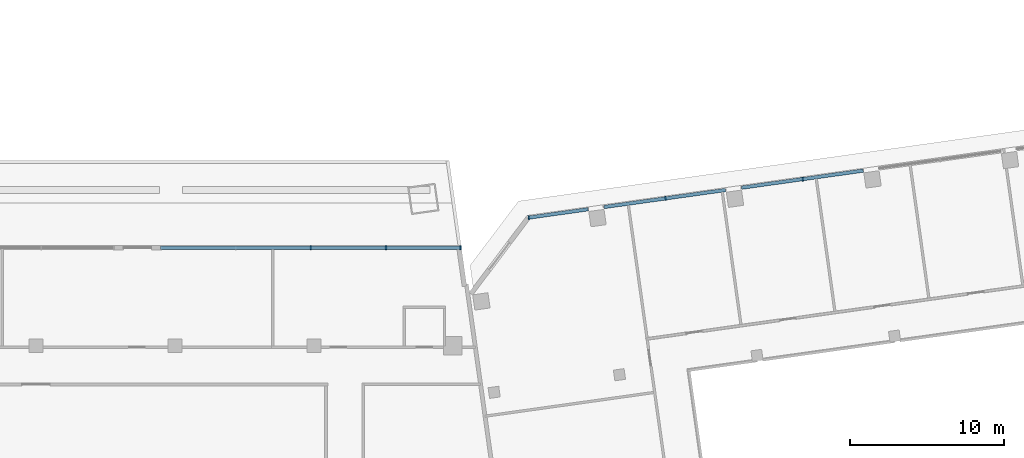
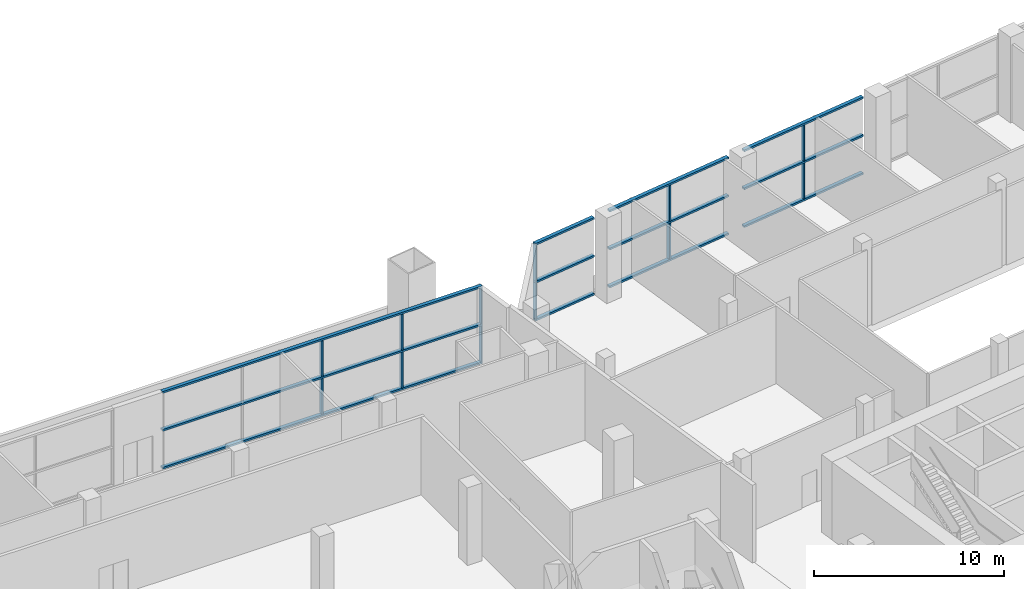
# One storey, part 5 of 23: 24 members, 2 elements without a shape of their own.
"""IFC4 building model written with IfcOpenShell, lengths in metres."""

from ifc_helpers import new_model, si_unit, direction, frame, origin, origin_2d, place, context, subcontext, project, spatial, rectangle, extrude, material, material_profile, profile_set, type_object, element, aggregate, save


model = new_model("IFC4")

# Units and contexts
model_context = context("Model", 3, precision=1e-05, world=origin(), true_north=direction((0.0, 1.0)))
body_context = subcontext(model_context, "Body", "Model", "MODEL_VIEW")
ifc_project = project(units=[si_unit("LENGTHUNIT", "METRE"), si_unit("AREAUNIT", "SQUARE_METRE"), si_unit("VOLUMEUNIT", "CUBIC_METRE"), si_unit("PLANEANGLEUNIT", "RADIAN"), si_unit("MASSUNIT", "GRAM", prefix="KILO")], contexts=[model_context])

# Site, building, storey
site_placement = place(None, origin())
site = spatial("IfcSite", under=ifc_project, at=site_placement, CompositionType="ELEMENT")
building_placement = place(site_placement, origin())
building = spatial("IfcBuilding", under=site, at=building_placement, Name="Mirante Cascada Hotel Towers", CompositionType="ELEMENT")
storey_placement = place(building_placement, frame((0.0, 0.0, 23.5)))
storey = spatial("IfcBuildingStorey", under=building, at=storey_placement, Name="L03", CompositionType="ELEMENT", Elevation=23.5)

# Curtain wall, members
ifc_material_1 = material(Name="Aluminium mullion and transom frame with clear laminated glass", Category="aluminium")
curtain_wall_type = type_object("IfcCurtainWallType", Name="Podium curtain wall ECW3", PredefinedType="NOTDEFINED", material=ifc_material_1)
curtain_wall_1_placement = place(storey_placement, origin())
curtain_wall_1 = element("IfcCurtainWall", 1, at=curtain_wall_1_placement, inside=storey, type_object=curtain_wall_type, Name="Front podium glazing T2 L03", PredefinedType="NOTDEFINED")
ifc_material_2 = material(Name="Anodised aluminium extrusion", Category="aluminium")
ifc_material_profile_1 = material_profile(ifc_material_2, rectangle(XDim=0.26, YDim=0.08, at=origin_2d()), Name="ECW3 MULLION 80x260")
ifc_profile_set_1 = profile_set([ifc_material_profile_1], Name="Anodised aluminium extrusion")
member_type_1 = type_object("IfcMemberType", Name="ECW3 mullion 80x260", PredefinedType="MULLION", material=ifc_profile_set_1)
member_1_placement = place(storey_placement, frame((49.684, 19.8017, 0.12), z_axis=(0.0, 0.0, 1.0), x_axis=(0.1391731, -0.9902681, 0.0)))
member_1 = element("IfcMember", 2, at=member_1_placement, type_object=member_type_1, Name="ECW3 mullion 11", PredefinedType="MULLION", context=body_context, shape_type="SweptSolid", body=[
    extrude(rectangle(XDim=0.26, YDim=0.08, at=origin_2d()), origin(), (0.0, 0.0, 1.0), 2.32),
])
member_2_placement = place(storey_placement, frame((49.684, 19.8017, 2.56), z_axis=(0.0, 0.0, 1.0), x_axis=(0.1391731, -0.9902681, 0.0)))
member_2 = element("IfcMember", 3, at=member_2_placement, type_object=member_type_1, Name="ECW3 mullion 11", PredefinedType="MULLION", context=body_context, shape_type="SweptSolid", body=[
    extrude(rectangle(XDim=0.26, YDim=0.08, at=origin_2d()), origin(), (0.0, 0.0, 1.0), 2.32),
])
member_3_placement = place(storey_placement, frame((40.7892, 18.5516, 0.12), z_axis=(0.0, 0.0, 1.0), x_axis=(0.1391731, -0.9902681, 0.0)))
member_3 = element("IfcMember", 4, at=member_3_placement, type_object=member_type_1, Name="ECW3 mullion 13", PredefinedType="MULLION", context=body_context, shape_type="SweptSolid", body=[
    extrude(rectangle(XDim=0.26, YDim=0.08, at=origin_2d()), origin(), (0.0, 0.0, 1.0), 2.32),
])
member_4_placement = place(storey_placement, frame((40.7892, 18.5516, 2.56), z_axis=(0.0, 0.0, 1.0), x_axis=(0.1391731, -0.9902681, 0.0)))
member_4 = element("IfcMember", 5, at=member_4_placement, type_object=member_type_1, Name="ECW3 mullion 13", PredefinedType="MULLION", context=body_context, shape_type="SweptSolid", body=[
    extrude(rectangle(XDim=0.26, YDim=0.08, at=origin_2d()), origin(), (0.0, 0.0, 1.0), 2.32),
])
member_5_placement = place(storey_placement, frame((31.9339, 17.307, 0.12), z_axis=(0.0, 0.0, 1.0), x_axis=(0.1391731, -0.9902681, 0.0)))
member_5 = element("IfcMember", 6, at=member_5_placement, type_object=member_type_1, Name="ECW3 mullion 15", PredefinedType="MULLION", context=body_context, shape_type="SweptSolid", body=[
    extrude(rectangle(XDim=0.26, YDim=0.08, at=origin_2d()), origin(), (0.0, 0.0, 1.0), 2.32),
])
member_6_placement = place(storey_placement, frame((31.9339, 17.307, 2.56), z_axis=(0.0, 0.0, 1.0), x_axis=(0.1391731, -0.9902681, 0.0)))
member_6 = element("IfcMember", 7, at=member_6_placement, type_object=member_type_1, Name="ECW3 mullion 15", PredefinedType="MULLION", context=body_context, shape_type="SweptSolid", body=[
    extrude(rectangle(XDim=0.26, YDim=0.08, at=origin_2d()), origin(), (0.0, 0.0, 1.0), 2.32),
])

curtain_wall_2_placement = place(storey_placement, origin())
curtain_wall_2 = element("IfcCurtainWall", 8, at=curtain_wall_2_placement, inside=storey, type_object=curtain_wall_type, Name="Podium curtain wall L03 run 3.1", PredefinedType="NOTDEFINED")
member_7_placement = place(storey_placement, frame((27.5005, 15.35, 0.12), z_axis=(0.0, 0.0, 1.0), x_axis=(0.0, -1.0, 0.0)))
member_7 = element("IfcMember", 9, at=member_7_placement, type_object=member_type_1, Name="ECW3 mullion 1", PredefinedType="MULLION", context=body_context, shape_type="SweptSolid", body=[
    extrude(rectangle(XDim=0.26, YDim=0.08, at=origin_2d()), origin(), (0.0, 0.0, 1.0), 2.32),
])
member_8_placement = place(storey_placement, frame((27.5005, 15.35, 2.56), z_axis=(0.0, 0.0, 1.0), x_axis=(0.0, -1.0, 0.0)))
member_8 = element("IfcMember", 10, at=member_8_placement, type_object=member_type_1, Name="ECW3 mullion 1", PredefinedType="MULLION", context=body_context, shape_type="SweptSolid", body=[
    extrude(rectangle(XDim=0.26, YDim=0.08, at=origin_2d()), origin(), (0.0, 0.0, 1.0), 2.32),
])
member_9_placement = place(storey_placement, frame((22.6729, 15.35, 0.12), z_axis=(0.0, 0.0, 1.0), x_axis=(0.0, -1.0, 0.0)))
member_9 = element("IfcMember", 11, at=member_9_placement, type_object=member_type_1, Name="ECW3 mullion 2", PredefinedType="MULLION", context=body_context, shape_type="SweptSolid", body=[
    extrude(rectangle(XDim=0.26, YDim=0.08, at=origin_2d()), origin(), (0.0, 0.0, 1.0), 2.32),
])
member_10_placement = place(storey_placement, frame((22.6729, 15.35, 2.56), z_axis=(0.0, 0.0, 1.0), x_axis=(0.0, -1.0, 0.0)))
member_10 = element("IfcMember", 12, at=member_10_placement, type_object=member_type_1, Name="ECW3 mullion 2", PredefinedType="MULLION", context=body_context, shape_type="SweptSolid", body=[
    extrude(rectangle(XDim=0.26, YDim=0.08, at=origin_2d()), origin(), (0.0, 0.0, 1.0), 2.32),
])
member_11_placement = place(storey_placement, frame((17.8053, 15.35, 0.12), z_axis=(0.0, 0.0, 1.0), x_axis=(0.0, -1.0, 0.0)))
member_11 = element("IfcMember", 13, at=member_11_placement, type_object=member_type_1, Name="ECW3 mullion 3", PredefinedType="MULLION", context=body_context, shape_type="SweptSolid", body=[
    extrude(rectangle(XDim=0.26, YDim=0.08, at=origin_2d()), origin(), (0.0, 0.0, 1.0), 2.32),
])
member_12_placement = place(storey_placement, frame((17.8053, 15.35, 2.56), z_axis=(0.0, 0.0, 1.0), x_axis=(0.0, -1.0, 0.0)))
member_12 = element("IfcMember", 14, at=member_12_placement, type_object=member_type_1, Name="ECW3 mullion 3", PredefinedType="MULLION", context=body_context, shape_type="SweptSolid", body=[
    extrude(rectangle(XDim=0.26, YDim=0.08, at=origin_2d()), origin(), (0.0, 0.0, 1.0), 2.32),
])

# Member
ifc_material_3 = material(Name="Anodised aluminium extrusion", Category="aluminium")
ifc_material_profile_2 = material_profile(ifc_material_3, rectangle(XDim=0.22, YDim=0.12, at=origin_2d()), Name="ECW3 TRANSOM 120x220")
ifc_profile_set_2 = profile_set([ifc_material_profile_2], Name="Anodised aluminium extrusion")
member_type_2 = type_object("IfcMemberType", Name="ECW3 transom 120x220", PredefinedType="USERDEFINED", material=ifc_profile_set_2)
member_13_placement = place(storey_placement, frame((53.5989, 20.3519, 0.06), z_axis=(-0.9902666, -0.1391838, 0.0), x_axis=(0.1391838, -0.9902666, 0.0)))
member_13 = element("IfcMember", 15, at=member_13_placement, type_object=member_type_2, Name="ECW3 sill transom", ObjectType="TRANSOM", PredefinedType="USERDEFINED", context=body_context, shape_type="SweptSolid", body=[
    extrude(rectangle(XDim=0.22, YDim=0.12, at=origin_2d()), origin(), (0.0, 0.0, 1.0), 7.96),
])

member_14_placement = place(storey_placement, frame((44.6865, 19.0993, 0.06), z_axis=(-0.9902685, -0.1391698, 0.0), x_axis=(0.1391698, -0.9902685, 0.0)))
member_14 = element("IfcMember", 16, at=member_14_placement, type_object=member_type_2, Name="ECW3 sill transom", ObjectType="TRANSOM", PredefinedType="USERDEFINED", context=body_context, shape_type="SweptSolid", body=[
    extrude(rectangle(XDim=0.22, YDim=0.12, at=origin_2d()), origin(), (0.0, 0.0, 1.0), 7.9601),
])

member_15_placement = place(storey_placement, frame((35.7741, 17.8467, 0.06), z_axis=(-0.9902705, -0.1391555, 0.0), x_axis=(0.1391555, -0.9902705, 0.0)))
member_15 = element("IfcMember", 17, at=member_15_placement, type_object=member_type_2, Name="ECW3 sill transom", ObjectType="TRANSOM", PredefinedType="USERDEFINED", context=body_context, shape_type="SweptSolid", body=[
    extrude(rectangle(XDim=0.22, YDim=0.12, at=origin_2d()), origin(), (0.0, 0.0, 1.0), 3.9179),
])

member_16_placement = place(storey_placement, frame((53.5989, 20.3519, 2.5), z_axis=(-0.9902666, -0.1391838, 0.0), x_axis=(0.1391838, -0.9902666, 0.0)))
member_16 = element("IfcMember", 18, at=member_16_placement, type_object=member_type_2, Name="ECW3 intermediate transom", ObjectType="TRANSOM", PredefinedType="USERDEFINED", context=body_context, shape_type="SweptSolid", body=[
    extrude(rectangle(XDim=0.22, YDim=0.12, at=origin_2d()), origin(), (0.0, 0.0, 1.0), 7.96),
])

member_17_placement = place(storey_placement, frame((44.6865, 19.0993, 2.5), z_axis=(-0.9902685, -0.1391698, 0.0), x_axis=(0.1391698, -0.9902685, 0.0)))
member_17 = element("IfcMember", 19, at=member_17_placement, type_object=member_type_2, Name="ECW3 intermediate transom", ObjectType="TRANSOM", PredefinedType="USERDEFINED", context=body_context, shape_type="SweptSolid", body=[
    extrude(rectangle(XDim=0.22, YDim=0.12, at=origin_2d()), origin(), (0.0, 0.0, 1.0), 7.9601),
])

member_18_placement = place(storey_placement, frame((35.7741, 17.8467, 2.5), z_axis=(-0.9902705, -0.1391555, 0.0), x_axis=(0.1391555, -0.9902705, 0.0)))
member_18 = element("IfcMember", 20, at=member_18_placement, type_object=member_type_2, Name="ECW3 intermediate transom", ObjectType="TRANSOM", PredefinedType="USERDEFINED", context=body_context, shape_type="SweptSolid", body=[
    extrude(rectangle(XDim=0.22, YDim=0.12, at=origin_2d()), origin(), (0.0, 0.0, 1.0), 3.9179),
])

member_19_placement = place(storey_placement, frame((53.5989, 20.3519, 4.94), z_axis=(-0.9902666, -0.1391838, 0.0), x_axis=(0.1391838, -0.9902666, 0.0)))
member_19 = element("IfcMember", 21, at=member_19_placement, type_object=member_type_2, Name="ECW3 head transom", ObjectType="TRANSOM", PredefinedType="USERDEFINED", context=body_context, shape_type="SweptSolid", body=[
    extrude(rectangle(XDim=0.22, YDim=0.12, at=origin_2d()), origin(), (0.0, 0.0, 1.0), 7.96),
])

member_20_placement = place(storey_placement, frame((44.6865, 19.0993, 4.94), z_axis=(-0.9902685, -0.1391698, 0.0), x_axis=(0.1391698, -0.9902685, 0.0)))
member_20 = element("IfcMember", 22, at=member_20_placement, type_object=member_type_2, Name="ECW3 head transom", ObjectType="TRANSOM", PredefinedType="USERDEFINED", context=body_context, shape_type="SweptSolid", body=[
    extrude(rectangle(XDim=0.22, YDim=0.12, at=origin_2d()), origin(), (0.0, 0.0, 1.0), 7.9601),
])

member_21_placement = place(storey_placement, frame((35.7741, 17.8467, 4.94), z_axis=(-0.9902705, -0.1391555, 0.0), x_axis=(0.1391555, -0.9902705, 0.0)))
member_21 = element("IfcMember", 23, at=member_21_placement, type_object=member_type_2, Name="ECW3 head transom", ObjectType="TRANSOM", PredefinedType="USERDEFINED", context=body_context, shape_type="SweptSolid", body=[
    extrude(rectangle(XDim=0.22, YDim=0.12, at=origin_2d()), origin(), (0.0, 0.0, 1.0), 3.9179),
])

aggregate(curtain_wall_1, [member_13, member_14, member_15, member_16, member_17, member_18, member_19, member_20, member_21, member_1, member_2, member_3, member_4, member_5, member_6])

member_22_placement = place(storey_placement, frame((27.5405, 15.35, 0.06), z_axis=(-1.0, 0.0, 0.0), x_axis=(0.0, -1.0, 0.0)))
member_22 = element("IfcMember", 24, at=member_22_placement, type_object=member_type_2, Name="ECW3 sill transom", ObjectType="TRANSOM", PredefinedType="USERDEFINED", context=body_context, shape_type="SweptSolid", body=[
    extrude(rectangle(XDim=0.22, YDim=0.12, at=origin_2d()), origin(), (0.0, 0.0, 1.0), 19.4705),
])

member_23_placement = place(storey_placement, frame((27.5405, 15.35, 2.5), z_axis=(-1.0, 0.0, 0.0), x_axis=(0.0, -1.0, 0.0)))
member_23 = element("IfcMember", 25, at=member_23_placement, type_object=member_type_2, Name="ECW3 intermediate transom", ObjectType="TRANSOM", PredefinedType="USERDEFINED", context=body_context, shape_type="SweptSolid", body=[
    extrude(rectangle(XDim=0.22, YDim=0.12, at=origin_2d()), origin(), (0.0, 0.0, 1.0), 19.4705),
])

member_24_placement = place(storey_placement, frame((27.5405, 15.35, 4.94), z_axis=(-1.0, 0.0, 0.0), x_axis=(0.0, -1.0, 0.0)))
member_24 = element("IfcMember", 26, at=member_24_placement, type_object=member_type_2, Name="ECW3 head transom", ObjectType="TRANSOM", PredefinedType="USERDEFINED", context=body_context, shape_type="SweptSolid", body=[
    extrude(rectangle(XDim=0.22, YDim=0.12, at=origin_2d()), origin(), (0.0, 0.0, 1.0), 19.4705),
])

aggregate(curtain_wall_2, [member_22, member_23, member_24, member_7, member_8, member_9, member_10, member_11, member_12])

save(model, "model.ifc")
